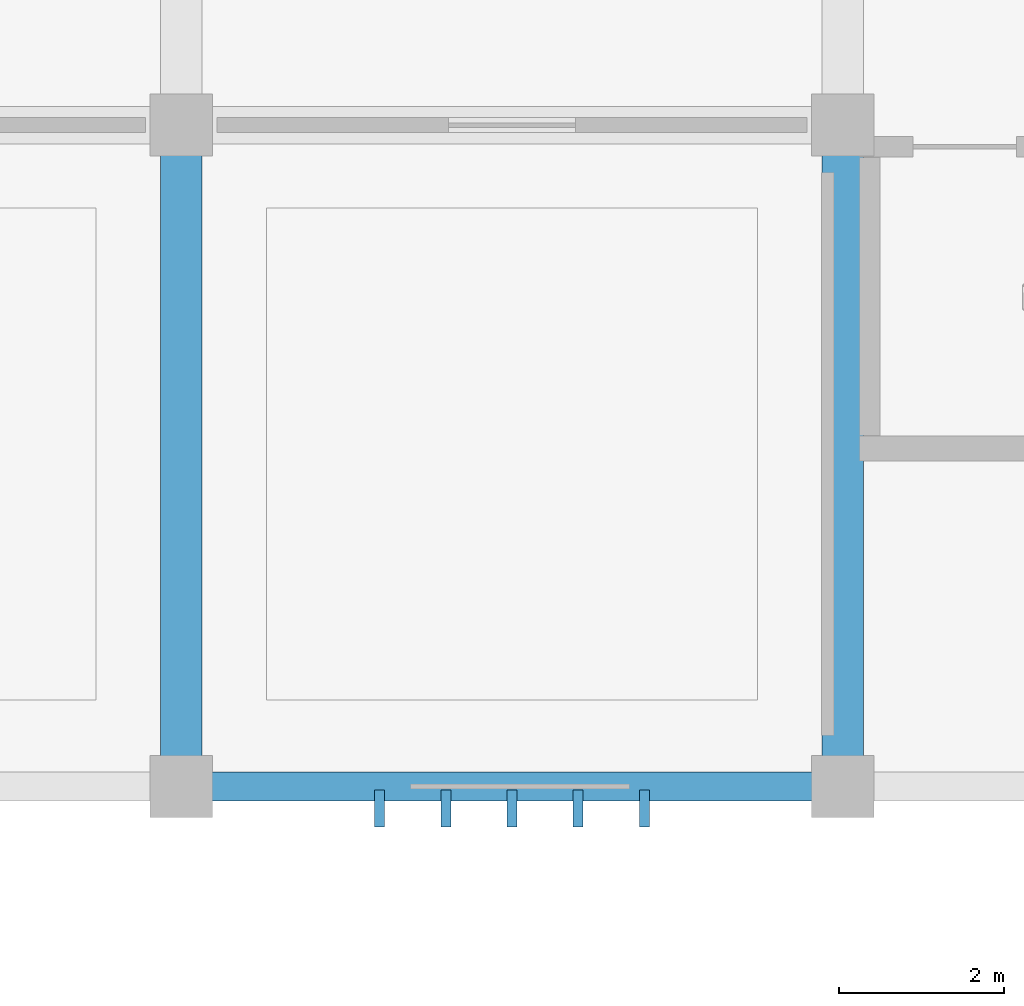
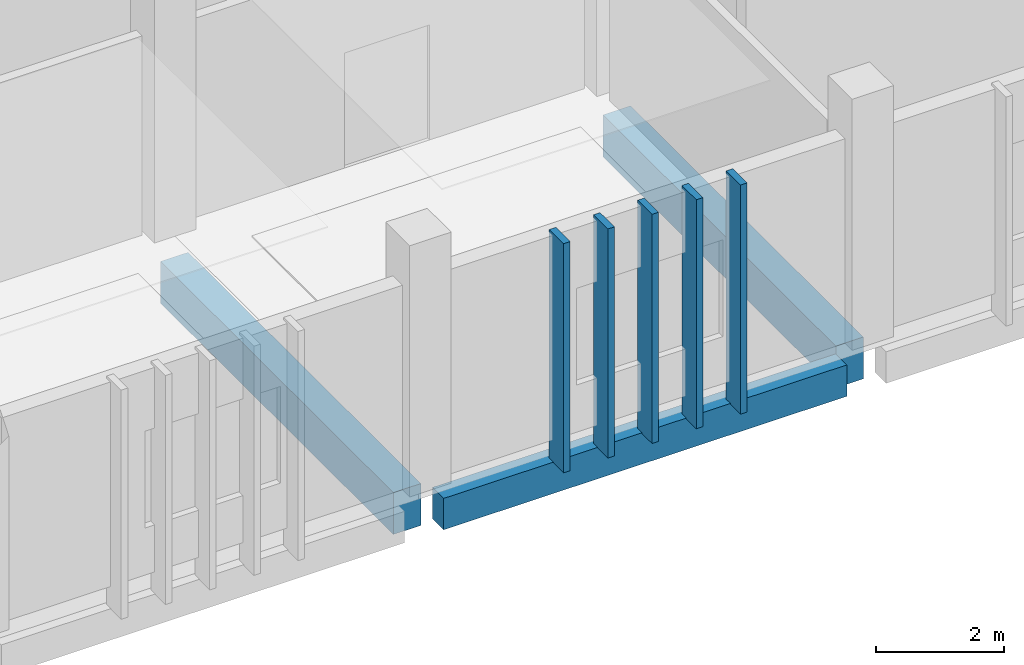
# One storey, part 49 of 117: 5 members, 3 beams.
"""IFC4 building model written with IfcOpenShell, lengths in metres."""

from ifc_helpers import new_model, si_unit, direction, frame, origin, origin_2d, place, context, subcontext, project, spatial, rectangle, extrude, material, material_profile, profile_set, type_object, element, save


model = new_model("IFC4")

# Units and contexts
model_context = context("Model", 3, precision=1e-05, world=origin(), true_north=direction((0.0, 1.0)))
body_context = subcontext(model_context, "Body", "Model", "MODEL_VIEW")
ifc_project = project(units=[si_unit("LENGTHUNIT", "METRE"), si_unit("AREAUNIT", "SQUARE_METRE"), si_unit("VOLUMEUNIT", "CUBIC_METRE"), si_unit("PLANEANGLEUNIT", "RADIAN"), si_unit("MASSUNIT", "GRAM", prefix="KILO")], contexts=[model_context])

# Site, building, storey
site_placement = place(None, origin())
site = spatial("IfcSite", under=ifc_project, at=site_placement, CompositionType="ELEMENT")
building_placement = place(site_placement, origin())
building = spatial("IfcBuilding", under=site, at=building_placement, Name="Jelvoka-Kovrelna Polytechnic", CompositionType="ELEMENT")
storey_placement = place(building_placement, origin())
storey = spatial("IfcBuildingStorey", under=building, at=storey_placement, Name="L01", CompositionType="ELEMENT", Elevation=0.0)

# Beams
ifc_material_1 = material(Name="Concrete C40/50", Category="concrete")
ifc_material_profile_1 = material_profile(ifc_material_1, rectangle(XDim=0.5, YDim=0.800048828125, at=origin_2d()), Name="RC 500x800")
ifc_profile_set_1 = profile_set([ifc_material_profile_1], Name="Concrete C40/50")
beam_type_1 = type_object("IfcBeamType", Name="Beam_RC_500x800", PredefinedType="BEAM", material=ifc_profile_set_1)
for number, where, z_axis, x_axis, name in (
    (1, (112.0, 56.35498046875, -0.804931640625), (0.0, 1.0, 0.0), (-1.0, 0.0, 0.0), "L01 beam 0473"),
    (2, (120.0, 56.35498046875, -0.804931640625), (0.0, 1.0, 0.0), (-1.0, 0.0, 0.0), "L01 beam 0503"),
):
    element("IfcBeam", number, at=place(storey_placement, frame(where, z_axis=z_axis, x_axis=x_axis)), inside=storey, type_object=beam_type_1, Name=name, PredefinedType="BEAM", context=body_context, shape_type="SweptSolid", body=[
        extrude(rectangle(XDim=0.5, YDim=0.800048828125, at=origin_2d()), origin(), (0.0, 0.0, 1.0), 7.2900390625),
    ])

# Members
ifc_material_2 = material(Name="Precast concrete C40/50", Category="concrete")
ifc_material_profile_2 = material_profile(ifc_material_2, rectangle(XDim=0.1201171875, YDim=0.449951171875, at=origin_2d()), Name="PC 120x450")
ifc_profile_set_2 = profile_set([ifc_material_profile_2], Name="Precast concrete C40/50")
member_type = type_object("IfcMemberType", Name="Louvre_Fin_120x450", PredefinedType="USERDEFINED", material=ifc_profile_set_2)
for number, where, z_axis, x_axis, name in (
    (3, (114.39990234375, 55.735107421875, -0.419921875), (0.0, 0.0, 1.0), (1.0, 0.0, 0.0), "L01 B3 south vertical solar louvre fin 1246"),
    (4, (115.199951171875, 55.735107421875, -0.419921875), (0.0, 0.0, 1.0), (1.0, 0.0, 0.0), "L01 B3 south vertical solar louvre fin 1247"),
    (5, (116.0, 55.735107421875, -0.419921875), (0.0, 0.0, 1.0), (1.0, 0.0, 0.0), "L01 B3 south vertical solar louvre fin 1248"),
    (6, (116.800048828125, 55.735107421875, -0.419921875), (0.0, 0.0, 1.0), (1.0, 0.0, 0.0), "L01 B3 south vertical solar louvre fin 1249"),
    (7, (117.60009765625, 55.735107421875, -0.419921875), (0.0, 0.0, 1.0), (1.0, 0.0, 0.0), "L01 B3 south vertical solar louvre fin 1250"),
):
    element("IfcMember", number, at=place(storey_placement, frame(where, z_axis=z_axis, x_axis=x_axis)), inside=storey, type_object=member_type, Name=name, ObjectType="SUNSHADE", PredefinedType="USERDEFINED", context=body_context, shape_type="SweptSolid", body=[
        extrude(rectangle(XDim=0.1201171875, YDim=0.449951171875, at=origin_2d()), origin(), (0.0, 0.0, 1.0), 4.3798828125),
    ])

# Beam
ifc_material_3 = material(Name="Concrete C40/50", Category="concrete")
ifc_material_profile_3 = material_profile(ifc_material_3, rectangle(XDim=0.35009765625, YDim=0.60009765625, at=origin_2d()), Name="RC 350x600")
ifc_profile_set_3 = profile_set([ifc_material_profile_3], Name="Concrete C40/50")
beam_type_2 = type_object("IfcBeamType", Name="Spandrel_RC_350x600", PredefinedType="SPANDREL", material=ifc_profile_set_3)
beam_placement = place(storey_placement, frame((112.35498046875, 56.0, -0.705078125), z_axis=(1.0, 0.0, 0.0), x_axis=(0.0, 1.0, 0.0)))
element("IfcBeam", 8, at=beam_placement, inside=storey, type_object=beam_type_2, Name="L01 beam 0475", PredefinedType="SPANDREL", context=body_context, shape_type="SweptSolid", body=[
    extrude(rectangle(XDim=0.35009765625, YDim=0.60009765625, at=origin_2d()), origin(), (0.0, 0.0, 1.0), 7.2900390625),
])

save(model, "model.ifc")
